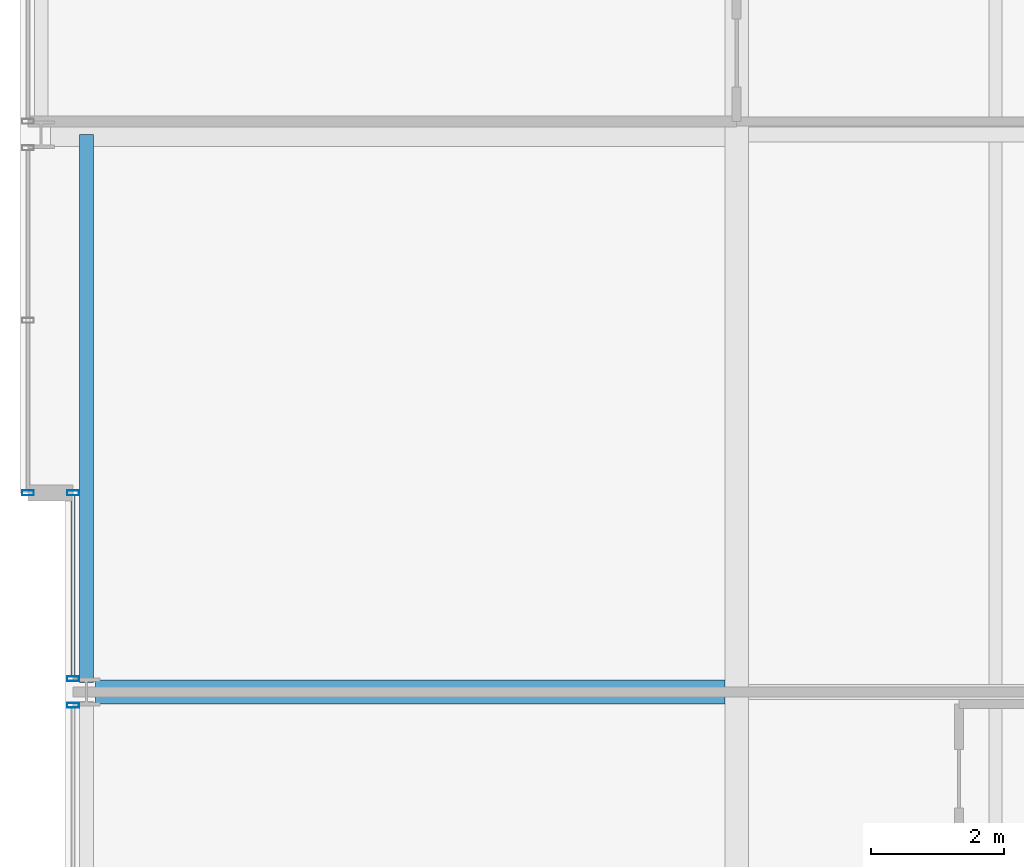
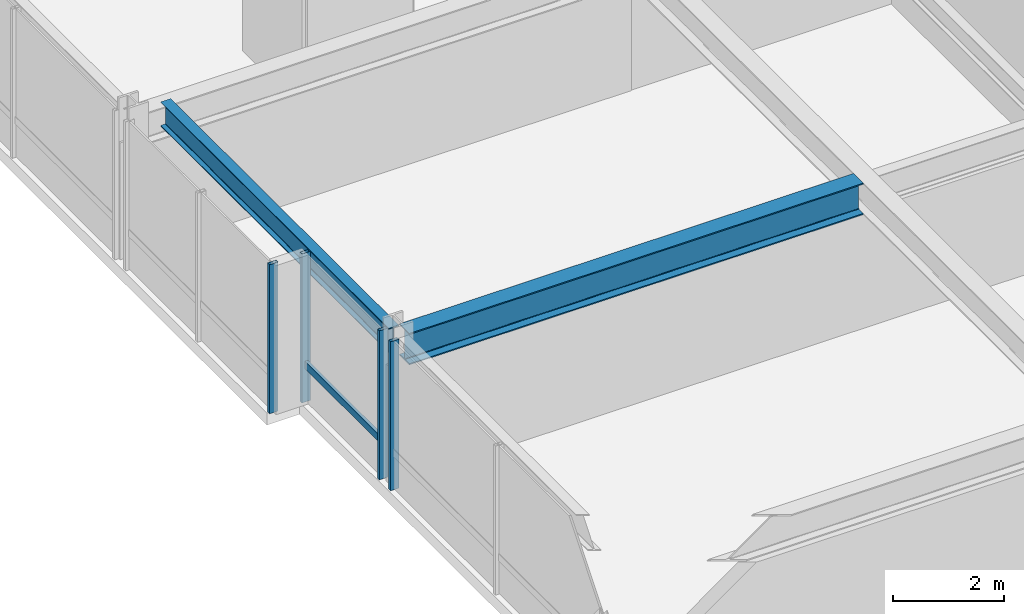
# One storey, part 9 of 32: 5 members, 2 beams, 3 elements without a shape of their own.
"""IFC4 building model written with IfcOpenShell, lengths in metres."""

from ifc_helpers import new_model, si_unit, direction, frame, origin, origin_2d, place, context, subcontext, project, spatial, hollow_rectangle, i_section, extrude, material, layer, layer_set, material_profile, profile_set, type_object, element, aggregate, save


model = new_model("IFC4")

# Units and contexts
model_context = context("Model", 3, precision=1e-05, world=origin(), true_north=direction((0.0, 1.0)))
body_context = subcontext(model_context, "Body", "Model", "MODEL_VIEW")
ifc_project = project(units=[si_unit("LENGTHUNIT", "METRE"), si_unit("AREAUNIT", "SQUARE_METRE"), si_unit("VOLUMEUNIT", "CUBIC_METRE"), si_unit("PLANEANGLEUNIT", "RADIAN"), si_unit("MASSUNIT", "GRAM", prefix="KILO")], contexts=[model_context])

# Site, building, storey
site_placement = place(None, origin())
site = spatial("IfcSite", under=ifc_project, at=site_placement, CompositionType="ELEMENT")
building_placement = place(site_placement, origin())
building = spatial("IfcBuilding", under=site, at=building_placement, Name="Drelvath Grand Hotel", CompositionType="ELEMENT")
storey_placement = place(building_placement, frame((0.0, 0.0, 164.60009765625)))
storey = spatial("IfcBuildingStorey", under=building, at=storey_placement, Name="L42", CompositionType="ELEMENT", Elevation=164.60009765625)

# Curtain wall, member
ifc_material_1 = material(Name="Brushed Pale-Silver Anodised Aluminium Frame", Category="aluminium")
ifc_layer = layer(ifc_material_1, 0.199951171875)
ifc_layer_set = layer_set([ifc_layer], Name="Brushed Pale-Silver Anodised Aluminium Frame")
curtain_wall_type = type_object("IfcCurtainWallType", Name="Stick Curtain Wall CW-04 Brushed Silver Upper-Mid", PredefinedType="NOTDEFINED", material=ifc_layer_set)
curtain_wall_1_placement = place(storey_placement, origin())
curtain_wall_1 = element("IfcCurtainWall", 1, at=curtain_wall_1_placement, inside=storey, type_object=curtain_wall_type, Name="L42 CW-04 Curtain Wall CW04-L42-WM2", PredefinedType="NOTDEFINED")
ifc_material_profile_1 = material_profile(ifc_material_1, hollow_rectangle(XDim=0.06494140625, YDim=0.159912109375, WallThickness=0.00390625, at=origin_2d()), Name="HSS160X65X4")
ifc_profile_set_1 = profile_set([ifc_material_profile_1], Name="Brushed Pale-Silver Anodised Aluminium Frame")
member_type_1 = type_object("IfcMemberType", Name="Curtain Wall Horizontal Transom CW-04 HSS160X65X4", PredefinedType="USERDEFINED", material=ifc_profile_set_1)
member_1_placement = place(storey_placement, frame((-26.199951171875, 27.239990234375, 0.822509765625), z_axis=(0.0, 1.0, 0.0), x_axis=(-1.0, 0.0, 0.0)))
member_1 = element("IfcMember", 2, at=member_1_placement, type_object=member_type_1, Name="CW04-L42-WM2 Sill Transom", ObjectType="TRANSOM", PredefinedType="USERDEFINED", context=body_context, shape_type="SweptSolid", body=[
    extrude(hollow_rectangle(XDim=0.06494140625, YDim=0.159912109375, WallThickness=0.00390625, at=origin_2d()), origin(), (0.0, 0.0, 1.0), 2.719970703125),
])

curtain_wall_2_placement = place(storey_placement, origin())
curtain_wall_2 = element("IfcCurtainWall", 3, at=curtain_wall_2_placement, inside=storey, type_object=curtain_wall_type, Name="L42 CW-04 Curtain Wall CW04-L42-WM1", PredefinedType="NOTDEFINED")
ifc_material_profile_2 = material_profile(ifc_material_1, hollow_rectangle(XDim=0.074951171875, YDim=0.179931640625, WallThickness=0.0048828125, at=origin_2d()), Name="HSS180X75X5")
ifc_profile_set_2 = profile_set([ifc_material_profile_2], Name="Brushed Pale-Silver Anodised Aluminium Frame")
member_type_2 = type_object("IfcMemberType", Name="Curtain Wall Vertical Mullion CW-04 HSS180X75X5", PredefinedType="MULLION", material=ifc_profile_set_2)
member_2_placement = place(storey_placement, frame((-26.199951171875, 26.7998046875, 0.0), z_axis=(0.0, 0.0, 1.0), x_axis=(0.0, 1.0, 0.0)))
member_2 = element("IfcMember", 4, at=member_2_placement, type_object=member_type_2, Name="CW04-L42-WM1 Mullion 3", PredefinedType="MULLION", context=body_context, shape_type="SweptSolid", body=[
    extrude(hollow_rectangle(XDim=0.074951171875, YDim=0.179931640625, WallThickness=0.0048828125, at=origin_2d()), origin(), (0.0, 0.0, 1.0), 3.289794921875),
])
aggregate(curtain_wall_2, [member_2])

# Member
member_3_placement = place(storey_placement, frame((-26.199951171875, 27.2001953125, 0.0), z_axis=(0.0, 0.0, 1.0), x_axis=(0.0, 1.0, 0.0)))
member_3 = element("IfcMember", 5, at=member_3_placement, type_object=member_type_2, Name="CW04-L42-WM2 Mullion 1", PredefinedType="MULLION", context=body_context, shape_type="SweptSolid", body=[
    extrude(hollow_rectangle(XDim=0.074951171875, YDim=0.179931640625, WallThickness=0.0048828125, at=origin_2d()), origin(), (0.0, 0.0, 1.0), 3.289794921875),
])

member_4_placement = place(storey_placement, frame((-26.199951171875, 30.0, 0.0), z_axis=(0.0, 0.0, 1.0), x_axis=(0.0, 1.0, 0.0)))
member_4 = element("IfcMember", 6, at=member_4_placement, type_object=member_type_2, Name="CW04-L42-WM2 Mullion 2", PredefinedType="MULLION", context=body_context, shape_type="SweptSolid", body=[
    extrude(hollow_rectangle(XDim=0.074951171875, YDim=0.179931640625, WallThickness=0.0048828125, at=origin_2d()), origin(), (0.0, 0.0, 1.0), 3.289794921875),
])

aggregate(curtain_wall_1, [member_3, member_4, member_1])

# Curtain wall, member
curtain_wall_3_placement = place(storey_placement, origin())
curtain_wall_3 = element("IfcCurtainWall", 7, at=curtain_wall_3_placement, inside=storey, type_object=curtain_wall_type, Name="L42 CW-04 Curtain Wall CW04-L42-WN1", PredefinedType="NOTDEFINED")
member_5_placement = place(storey_placement, frame((-26.8798828125, 30.0, 0.0), z_axis=(0.0, 0.0, 1.0), x_axis=(0.0, 1.0, 0.0)))
member_5 = element("IfcMember", 8, at=member_5_placement, type_object=member_type_2, Name="CW04-L42-WN1 Mullion 1", PredefinedType="MULLION", context=body_context, shape_type="SweptSolid", body=[
    extrude(hollow_rectangle(XDim=0.074951171875, YDim=0.179931640625, WallThickness=0.0048828125, at=origin_2d()), origin(), (0.0, 0.0, 1.0), 3.289794921875),
])
aggregate(curtain_wall_3, [member_5])

# Beams
ifc_material_2 = material(Name="Steel ASTM A992 Gr 50", Category="steel")
ifc_material_profile_3 = material_profile(ifc_material_2, i_section(OverallWidth=0.210205078125, OverallDepth=0.53662109375, WebThickness=0.010986328125, FlangeThickness=0.017333984375, FilletRadius=0.01806640625, at=origin_2d()), Name="W21X68")
ifc_profile_set_3 = profile_set([ifc_material_profile_3], Name="Steel ASTM A992 Gr 50")
beam_type_1 = type_object("IfcBeamType", Name="Perimeter Spandrel Beam W21X68", PredefinedType="SPANDREL", material=ifc_profile_set_3)
beam_1_placement = place(storey_placement, frame((-26.0, 27.139892578125, 3.021484375), z_axis=(0.0, 1.0, 0.0), x_axis=(-1.0, 0.0, 0.0)))
element("IfcBeam", 9, at=beam_1_placement, inside=storey, type_object=beam_type_1, Name="L42 Spandrel West Mid N", PredefinedType="SPANDREL", context=body_context, shape_type="SweptSolid", body=[
    extrude(i_section(OverallWidth=0.210205078125, OverallDepth=0.53662109375, WebThickness=0.010986328125, FlangeThickness=0.017333984375, FilletRadius=0.01806640625, at=origin_2d()), origin(), (0.0, 0.0, 1.0), 8.260009765625),
])
ifc_material_profile_4 = material_profile(ifc_material_2, i_section(OverallWidth=0.354736328125, OverallDepth=0.695556640625, WebThickness=0.015380859375, FlangeThickness=0.025146484375, FilletRadius=0.02392578125, at=origin_2d()), Name="W27X146")
ifc_profile_set_4 = profile_set([ifc_material_profile_4], Name="Steel ASTM A992 Gr 50")
beam_type_2 = type_object("IfcBeamType", Name="Primary Floor Girder W27X146", PredefinedType="BEAM", material=ifc_profile_set_4)
beam_2_placement = place(storey_placement, frame((-25.860107421875, 27.0, 2.942138671875), z_axis=(1.0, 0.0, 0.0), x_axis=(0.0, 1.0, 0.0)))
element("IfcBeam", 10, at=beam_2_placement, inside=storey, type_object=beam_type_2, Name="L42 West Wing Girder E", PredefinedType="BEAM", context=body_context, shape_type="SweptSolid", body=[
    extrude(i_section(OverallWidth=0.354736328125, OverallDepth=0.695556640625, WebThickness=0.015380859375, FlangeThickness=0.025146484375, FilletRadius=0.02392578125, at=origin_2d()), origin(), (0.0, 0.0, 1.0), 9.482666015625),
])

save(model, "model.ifc")
